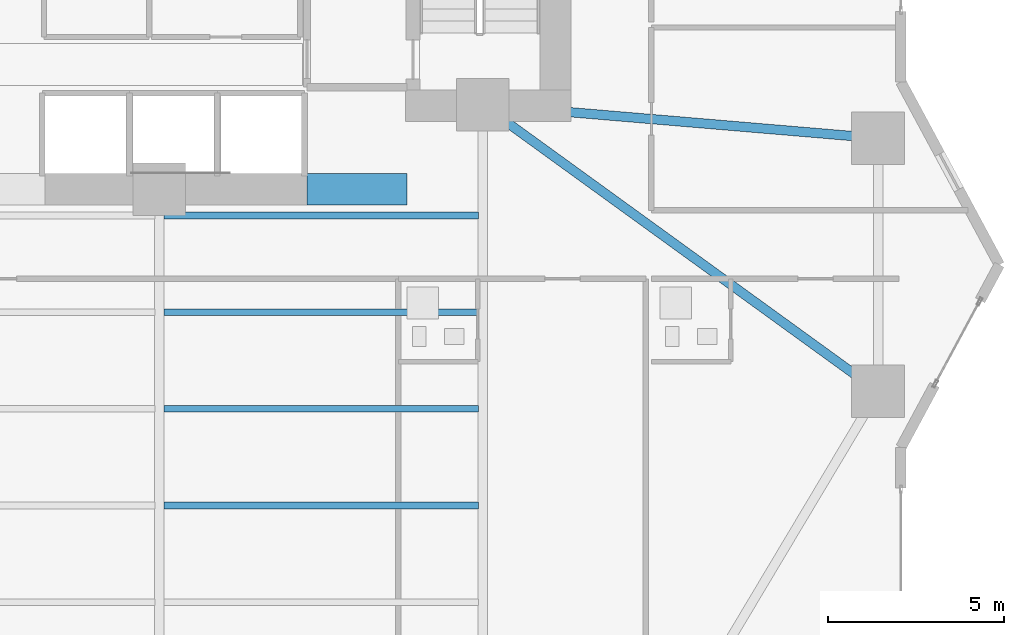
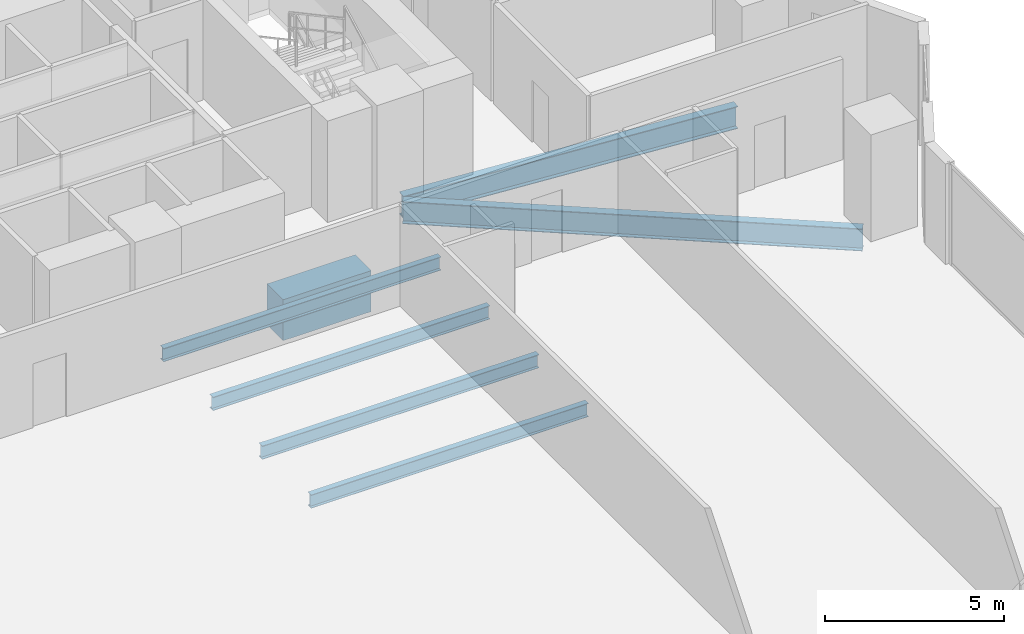
# One storey, part 11 of 28: 7 beams.
"""IFC4 building model written with IfcOpenShell, lengths in metres."""

from ifc_helpers import new_model, si_unit, direction, frame, origin, origin_2d, place, context, subcontext, project, spatial, rectangle, i_section, extrude, material, material_profile, profile_set, type_object, element, save


model = new_model("IFC4")

# Units and contexts
model_context = context("Model", 3, precision=1e-05, world=origin(), true_north=direction((0.0, 1.0)))
body_context = subcontext(model_context, "Body", "Model", "MODEL_VIEW")
ifc_project = project(units=[si_unit("LENGTHUNIT", "METRE"), si_unit("AREAUNIT", "SQUARE_METRE"), si_unit("VOLUMEUNIT", "CUBIC_METRE"), si_unit("PLANEANGLEUNIT", "RADIAN"), si_unit("MASSUNIT", "GRAM", prefix="KILO")], contexts=[model_context])

# Site, building, storey
site_placement = place(None, origin())
site = spatial("IfcSite", under=ifc_project, at=site_placement, CompositionType="ELEMENT")
building_placement = place(site_placement, origin())
building = spatial("IfcBuilding", under=site, at=building_placement, Name="Zuhayl Quay Hotel", CompositionType="ELEMENT")
storey_placement = place(building_placement, frame((0.0, 0.0, 75.050048828125)))
storey = spatial("IfcBuildingStorey", under=building, at=storey_placement, Name="L18", CompositionType="ELEMENT", Elevation=75.050048828125)

# Beams
ifc_material_1 = material(Name="Steel ASTM A992 Grade 50", Category="steel")
ifc_material_profile_1 = material_profile(ifc_material_1, i_section(OverallWidth=0.26708984375, OverallDepth=0.761962890625, WebThickness=0.014404296875, FlangeThickness=0.021484375, at=origin_2d()), Name="W30X116")
ifc_profile_set_1 = profile_set([ifc_material_profile_1], Name="Steel ASTM A992 Grade 50")
beam_type_1 = type_object("IfcBeamType", Name="BM_B1_W30X116", PredefinedType="BEAM", material=ifc_profile_set_1)
beam_1_placement = place(storey_placement, frame((14.164306640625, 4.285888671875, -0.60107421875), z_axis=(0.809830244688, -0.586664277751, 0.0), x_axis=(0.586664277751, 0.809830244688, 0.0)))
element("IfcBeam", 1, at=beam_1_placement, inside=storey, type_object=beam_type_1, Name="L18 Floor Beam FG_E_L18_1", PredefinedType="BEAM", context=body_context, shape_type="SweptSolid", body=[
    extrude(i_section(OverallWidth=0.26708984375, OverallDepth=0.761962890625, WebThickness=0.014404296875, FlangeThickness=0.021484375, at=origin_2d()), origin(), (0.0, 0.0, 1.0), 12.94189453125),
])
beam_2_placement = place(storey_placement, frame((14.248291015625, 4.51220703125, -0.60107421875), z_axis=(0.996453145398, -0.084149444594, 0.0), x_axis=(0.084149444594, 0.996453145398, 0.0)))
element("IfcBeam", 2, at=beam_2_placement, inside=storey, type_object=beam_type_1, Name="L18 Floor Beam FG_E_L18_2", PredefinedType="BEAM", context=body_context, shape_type="SweptSolid", body=[
    extrude(i_section(OverallWidth=0.26708984375, OverallDepth=0.761962890625, WebThickness=0.014404296875, FlangeThickness=0.021484375, at=origin_2d()), origin(), (0.0, 0.0, 1.0), 10.340087890625),
])
ifc_material_2 = material(Name="Concrete C60/75", Category="concrete")
ifc_material_profile_2 = material_profile(ifc_material_2, rectangle(XDim=0.89990234375, YDim=1.39990234375, at=origin_2d()), Name="RC900X1400")
ifc_profile_set_2 = profile_set([ifc_material_profile_2], Name="Concrete C60/75")
beam_type_2 = type_object("IfcBeamType", Name="BM_CB1_RC900", PredefinedType="T_BEAM", material=ifc_profile_set_2)
beam_3_placement = place(storey_placement, frame((8.800048828125, 2.14990234375, -0.920166015625), z_axis=(1.0, 0.0, 0.0), x_axis=(0.0, 1.0, 0.0)))
element("IfcBeam", 3, at=beam_3_placement, inside=storey, type_object=beam_type_2, Name="L18 Core Coupling Beam SE", PredefinedType="T_BEAM", context=body_context, shape_type="SweptSolid", body=[
    extrude(rectangle(XDim=0.89990234375, YDim=1.39990234375, at=origin_2d()), origin(), (0.0, 0.0, 1.0), 2.849853515625),
])
ifc_material_profile_3 = material_profile(ifc_material_1, i_section(OverallWidth=0.18994140625, OverallDepth=0.45703125, WebThickness=0.009033203125, FlangeThickness=0.014404296875, at=origin_2d()), Name="W18X50")
ifc_profile_set_3 = profile_set([ifc_material_profile_3], Name="Steel ASTM A992 Grade 50")
beam_type_3 = type_object("IfcBeamType", Name="BM_J2_W18X50", PredefinedType="JOIST", material=ifc_profile_set_3)
for number, where, z_axis, x_axis, name in (
    (4, (4.7255859375, -6.85009765625, -0.448486328125), (1.0, 0.0, 0.0), (0.0, 1.0, 0.0), "L18 Floor Beam FJ_L18_7_3"),
    (5, (4.7255859375, -4.10009765625, -0.448486328125), (1.0, 0.0, 0.0), (0.0, 1.0, 0.0), "L18 Floor Beam FJ_L18_8_3"),
    (6, (4.7255859375, -1.35009765625, -0.448486328125), (1.0, 0.0, 0.0), (0.0, 1.0, 0.0), "L18 Floor Beam FJ_L18_9_3"),
    (7, (4.7255859375, 1.39990234375, -0.448486328125), (1.0, 0.0, 0.0), (0.0, 1.0, 0.0), "L18 Floor Beam FJ_L18_10_3"),
):
    element("IfcBeam", number, at=place(storey_placement, frame(where, z_axis=z_axis, x_axis=x_axis)), inside=storey, type_object=beam_type_3, Name=name, PredefinedType="JOIST", context=body_context, shape_type="SweptSolid", body=[
        extrude(i_section(OverallWidth=0.18994140625, OverallDepth=0.45703125, WebThickness=0.009033203125, FlangeThickness=0.014404296875, at=origin_2d()), origin(), (0.0, 0.0, 1.0), 8.948974609375),
    ])

save(model, "model.ifc")
